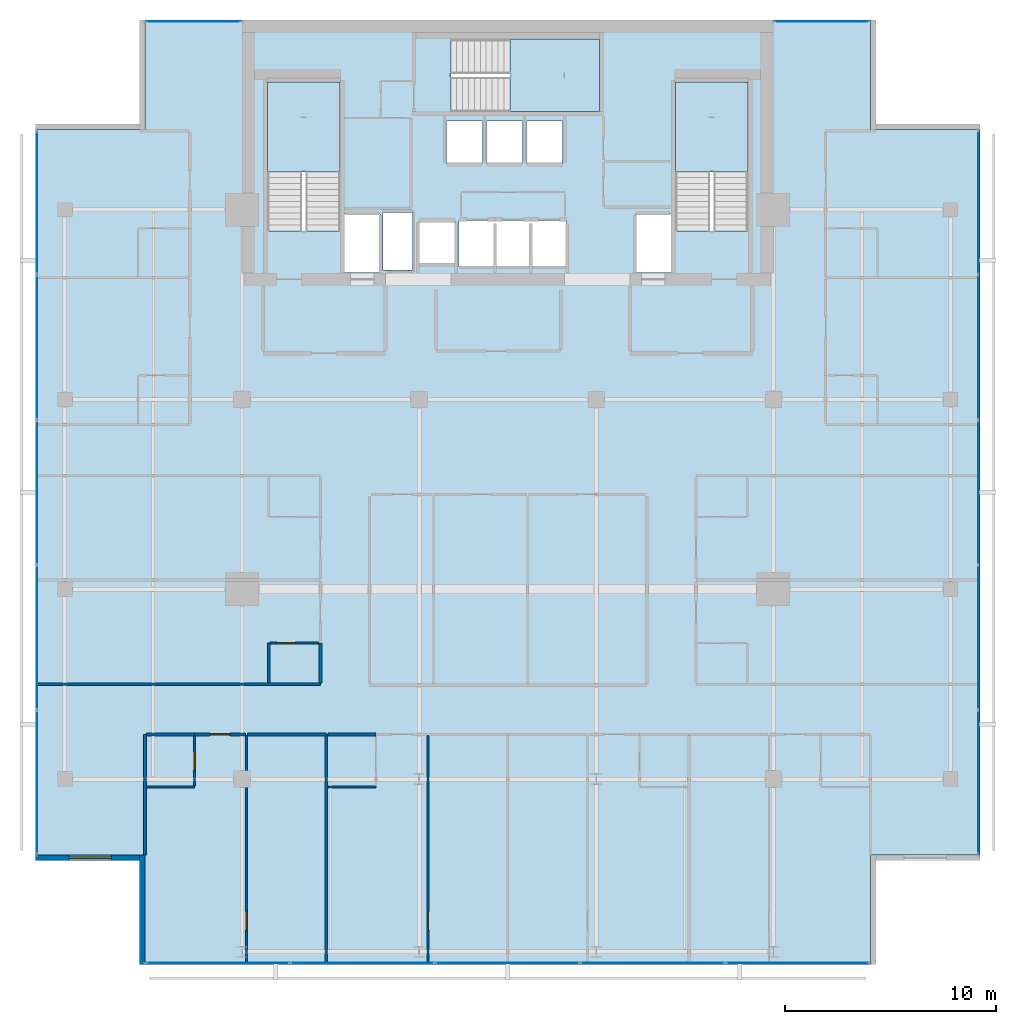
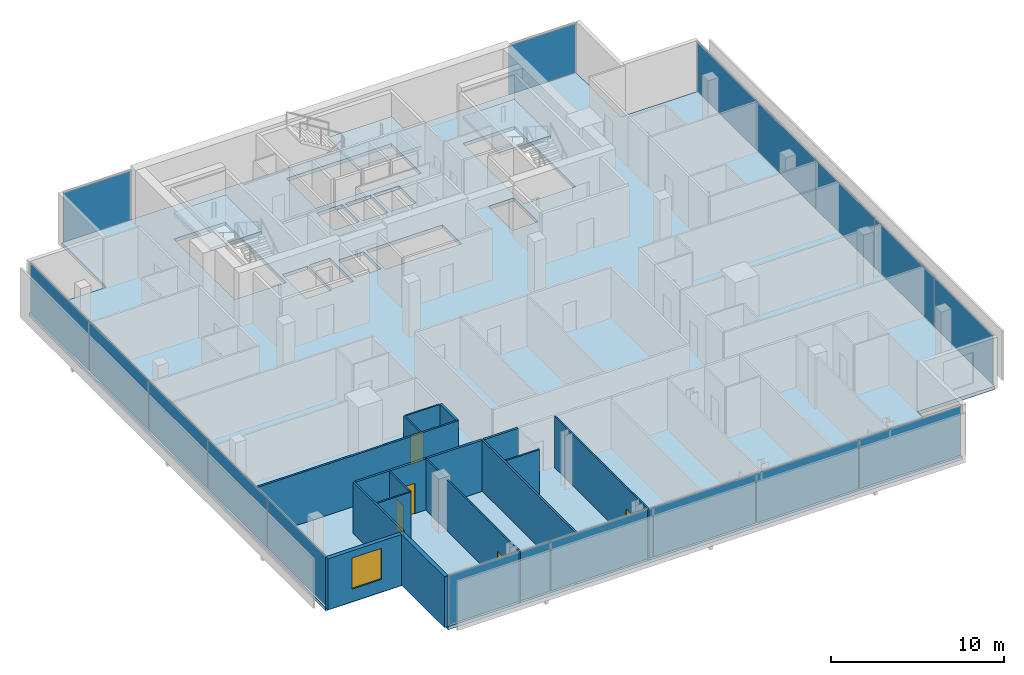
# One storey, part 19 of 26: 17 plates, 17 walls, 5 doors, 4 slabs, 1 window, 6 openings, 8 elements without a shape of their own.
"""IFC4 building model written with IfcOpenShell, lengths in metres."""

from ifc_helpers import new_model, si_unit, direction, frame, frame_2d, origin, origin_2d, place, context, subcontext, project, spatial, polyline, rectangle, outline, extrude, material, layer, layer_set, type_object, element, fill, aggregate, save


model = new_model("IFC4")

# Units and contexts
model_context = context("Model", 3, precision=1e-05, world=origin(), true_north=direction((0.0, 1.0)))
body_context = subcontext(model_context, "Body", "Model", "MODEL_VIEW")
ifc_project = project(units=[si_unit("LENGTHUNIT", "METRE"), si_unit("AREAUNIT", "SQUARE_METRE"), si_unit("VOLUMEUNIT", "CUBIC_METRE"), si_unit("PLANEANGLEUNIT", "RADIAN"), si_unit("MASSUNIT", "GRAM", prefix="KILO")], contexts=[model_context])

# Site, building, storey
site_placement = place(None, origin())
site = spatial("IfcSite", under=ifc_project, at=site_placement, CompositionType="ELEMENT")
building_placement = place(site_placement, origin())
building = spatial("IfcBuilding", under=site, at=building_placement, Name="Maruvema Waterfront Hotel and Observation Tower", CompositionType="ELEMENT")
storey_placement = place(building_placement, frame((0.0, 0.0, 258.64990234375)))
storey = spatial("IfcBuildingStorey", under=building, at=storey_placement, Name="L63", CompositionType="ELEMENT", Elevation=258.64990234375)

# Slab
ifc_material_1 = material(Name="Concrete C50/60", Category="concrete")
ifc_layer_1 = layer(ifc_material_1, 0.239990234375, Name="Reinforced Concrete Floor Slab 240 mm")
ifc_layer_set_1 = layer_set([ifc_layer_1], Name="Concrete C50/60")
slab_type_1 = type_object("IfcSlabType", Name="Reinforced Concrete Floor Slab 240 mm", PredefinedType="FLOOR", material=ifc_layer_set_1)
slab_1_placement = place(storey_placement, frame((0.0, 0.0, -0.239990234375)))
element("IfcSlab", 1, at=slab_1_placement, inside=storey, type_object=slab_type_1, Name="L63 Structural Floor Slab", PredefinedType="FLOOR", context=body_context, shape_type="SweptSolid", body=[
    extrude(outline(polyline([(20.60009765625, 9.199951171875), (55.0, 9.199951171875), (55.0, 14.39990234375), (60.199951171875, 14.39990234375), (60.199951171875, 48.800048828125), (55.0, 48.800048828125), (55.0, 54.0), (20.60009765625, 54.0), (20.60009765625, 48.800048828125), (15.39990234375, 48.800048828125), (15.39990234375, 14.39990234375), (20.60009765625, 14.39990234375), (20.60009765625, 9.199951171875)]), holes=[polyline([(26.39990234375, 44.00048828125), (26.39990234375, 51.050048828125), (29.85009765625, 51.050048828125), (29.85009765625, 44.00048828125), (26.39990234375, 44.00048828125)]), polyline([(30.050048828125, 44.800048828125), (31.75, 44.800048828125), (31.75, 42.02001953125), (30.050048828125, 42.02001953125), (30.050048828125, 44.800048828125)]), polyline([(31.8798828125, 42.139892578125), (31.8798828125, 44.860107421875), (33.280029296875, 44.860107421875), (33.280029296875, 42.139892578125), (31.8798828125, 42.139892578125)]), polyline([(33.60009765625, 44.449951171875), (35.300048828125, 44.449951171875), (35.300048828125, 42.449951171875), (33.60009765625, 42.449951171875), (33.60009765625, 44.449951171875)]), polyline([(34.89990234375, 49.199951171875), (36.60009765625, 49.199951171875), (36.60009765625, 47.199951171875), (34.89990234375, 47.199951171875), (34.89990234375, 49.199951171875)]), polyline([(36.800048828125, 47.199951171875), (36.800048828125, 49.199951171875), (38.5, 49.199951171875), (38.5, 47.199951171875), (36.800048828125, 47.199951171875)]), polyline([(35.5, 42.300048828125), (35.5, 44.5), (40.60009765625, 44.5), (40.60009765625, 42.300048828125), (35.5, 42.300048828125)]), polyline([(35.1005859375, 53.10009765625), (42.14990234375, 53.10009765625), (42.14990234375, 49.64990234375), (35.1005859375, 49.64990234375), (35.1005859375, 53.10009765625)]), polyline([(38.699951171875, 49.199951171875), (40.39990234375, 49.199951171875), (40.39990234375, 47.199951171875), (38.699951171875, 47.199951171875), (38.699951171875, 49.199951171875)]), polyline([(43.85009765625, 44.800048828125), (45.550048828125, 44.800048828125), (45.550048828125, 42.02001953125), (43.85009765625, 42.02001953125), (43.85009765625, 44.800048828125)]), polyline([(45.75, 44.00048828125), (45.75, 51.050048828125), (49.199951171875, 51.050048828125), (49.199951171875, 44.00048828125), (45.75, 44.00048828125)])]), origin(), (0.0, 0.0, 1.0), 0.239990234375),
])

# Curtain wall, plates
ifc_material_2 = material(Name="Anodised bronze aluminium and solar-control low-E IGU", Category="aluminium")
ifc_layer_2 = layer(ifc_material_2, 0.159912109375, Name="Zone 3 Champagne Inner Thermal Curtain Wall System CW-04")
ifc_layer_set_2 = layer_set([ifc_layer_2], Name="Anodised bronze aluminium and solar-control low-E IGU")
curtain_wall_type = type_object("IfcCurtainWallType", Name="Zone 3 Champagne Inner Thermal Curtain Wall System CW-04", PredefinedType="USERDEFINED", material=ifc_layer_set_2)
curtain_wall_1_placement = place(storey_placement, origin())
curtain_wall_1 = element("IfcCurtainWall", 2, at=curtain_wall_1_placement, inside=storey, type_object=curtain_wall_type, Name="L63 Curtain Wall CW-L63-S", ObjectType="UNITISED CURTAIN WALL", PredefinedType="USERDEFINED")
ifc_material_3 = material(Name="Laminated low-E solar-control double glazing", Category="glass")
ifc_layer_3 = layer(ifc_material_3, 0.035888671875, Name="Solar Control Double-Glazed Curtain Panel 36 mm")
ifc_layer_set_3 = layer_set([ifc_layer_3], Name="Laminated low-E solar-control double glazing")
plate_type = type_object("IfcPlateType", Name="Solar Control Double-Glazed Curtain Panel 36 mm", PredefinedType="CURTAIN_PANEL", material=ifc_layer_set_3)
plate_1_placement = place(storey_placement, frame((24.054931640625, 9.280029296875, 0.06005859375), z_axis=(0.0, 0.0, 1.0), x_axis=(1.0, 0.0, 0.0)))
plate_1 = element("IfcPlate", 3, at=plate_1_placement, type_object=plate_type, Name="CW-04 panel 1.1", PredefinedType="CURTAIN_PANEL", context=body_context, shape_type="SweptSolid", body=[
    extrude(rectangle(XDim=6.7900390625, YDim=0.028076171875, at=origin_2d()), origin(), (0.0, 0.0, 1.0), 3.489990234375),
])
plate_2_placement = place(storey_placement, frame((30.919921875, 9.280029296875, 0.06005859375), z_axis=(0.0, 0.0, 1.0), x_axis=(1.0, 0.0, 0.0)))
plate_2 = element("IfcPlate", 4, at=plate_2_placement, type_object=plate_type, Name="CW-04 panel 2.1", PredefinedType="CURTAIN_PANEL", context=body_context, shape_type="SweptSolid", body=[
    extrude(rectangle(XDim=6.820068359375, YDim=0.028076171875, at=origin_2d()), origin(), (0.0, 0.0, 1.0), 3.489990234375),
])
plate_3_placement = place(storey_placement, frame((37.800048828125, 9.280029296875, 0.06005859375), z_axis=(0.0, 0.0, 1.0), x_axis=(1.0, 0.0, 0.0)))
plate_3 = element("IfcPlate", 5, at=plate_3_placement, type_object=plate_type, Name="CW-04 panel 3.1", PredefinedType="CURTAIN_PANEL", context=body_context, shape_type="SweptSolid", body=[
    extrude(rectangle(XDim=6.820068359375, YDim=0.028076171875, at=origin_2d()), origin(), (0.0, 0.0, 1.0), 3.489990234375),
])
plate_4_placement = place(storey_placement, frame((44.679931640625, 9.280029296875, 0.06005859375), z_axis=(0.0, 0.0, 1.0), x_axis=(1.0, 0.0, 0.0)))
plate_4 = element("IfcPlate", 6, at=plate_4_placement, type_object=plate_type, Name="CW-04 panel 4.1", PredefinedType="CURTAIN_PANEL", context=body_context, shape_type="SweptSolid", body=[
    extrude(rectangle(XDim=6.820068359375, YDim=0.028076171875, at=origin_2d()), origin(), (0.0, 0.0, 1.0), 3.489990234375),
])
plate_5_placement = place(storey_placement, frame((51.544921875, 9.280029296875, 0.06005859375), z_axis=(0.0, 0.0, 1.0), x_axis=(1.0, 0.0, 0.0)))
plate_5 = element("IfcPlate", 7, at=plate_5_placement, type_object=plate_type, Name="CW-04 panel 5.1", PredefinedType="CURTAIN_PANEL", context=body_context, shape_type="SweptSolid", body=[
    extrude(rectangle(XDim=6.7900390625, YDim=0.028076171875, at=origin_2d()), origin(), (0.0, 0.0, 1.0), 3.489990234375),
])
aggregate(curtain_wall_1, [plate_1, plate_2, plate_3, plate_4, plate_5])

curtain_wall_2_placement = place(storey_placement, origin())
curtain_wall_2 = element("IfcCurtainWall", 8, at=curtain_wall_2_placement, inside=storey, type_object=curtain_wall_type, Name="L63 Curtain Wall CW-L63-E", ObjectType="UNITISED CURTAIN WALL", PredefinedType="USERDEFINED")
plate_6_placement = place(storey_placement, frame((60.1201171875, 17.85498046875, 0.06005859375), z_axis=(0.0, 0.0, 1.0), x_axis=(0.0, 1.0, 0.0)))
plate_6 = element("IfcPlate", 9, at=plate_6_placement, type_object=plate_type, Name="CW-04 panel 1.1", PredefinedType="CURTAIN_PANEL", context=body_context, shape_type="SweptSolid", body=[
    extrude(rectangle(XDim=6.7900390625, YDim=0.028076171875, at=origin_2d()), origin(), (0.0, 0.0, 1.0), 3.489990234375),
])
plate_7_placement = place(storey_placement, frame((60.1201171875, 24.719970703125, 0.06005859375), z_axis=(0.0, 0.0, 1.0), x_axis=(0.0, 1.0, 0.0)))
plate_7 = element("IfcPlate", 10, at=plate_7_placement, type_object=plate_type, Name="CW-04 panel 2.1", PredefinedType="CURTAIN_PANEL", context=body_context, shape_type="SweptSolid", body=[
    extrude(rectangle(XDim=6.820068359375, YDim=0.028076171875, at=origin_2d()), origin(), (0.0, 0.0, 1.0), 3.489990234375),
])
plate_8_placement = place(storey_placement, frame((60.1201171875, 31.60009765625, 0.06005859375), z_axis=(0.0, 0.0, 1.0), x_axis=(0.0, 1.0, 0.0)))
plate_8 = element("IfcPlate", 11, at=plate_8_placement, type_object=plate_type, Name="CW-04 panel 3.1", PredefinedType="CURTAIN_PANEL", context=body_context, shape_type="SweptSolid", body=[
    extrude(rectangle(XDim=6.820068359375, YDim=0.028076171875, at=origin_2d()), origin(), (0.0, 0.0, 1.0), 3.489990234375),
])
plate_9_placement = place(storey_placement, frame((60.1201171875, 38.47998046875, 0.06005859375), z_axis=(0.0, 0.0, 1.0), x_axis=(0.0, 1.0, 0.0)))
plate_9 = element("IfcPlate", 12, at=plate_9_placement, type_object=plate_type, Name="CW-04 panel 4.1", PredefinedType="CURTAIN_PANEL", context=body_context, shape_type="SweptSolid", body=[
    extrude(rectangle(XDim=6.820068359375, YDim=0.028076171875, at=origin_2d()), origin(), (0.0, 0.0, 1.0), 3.489990234375),
])
plate_10_placement = place(storey_placement, frame((60.1201171875, 45.344970703125, 0.06005859375), z_axis=(0.0, 0.0, 1.0), x_axis=(0.0, 1.0, 0.0)))
plate_10 = element("IfcPlate", 13, at=plate_10_placement, type_object=plate_type, Name="CW-04 panel 5.1", PredefinedType="CURTAIN_PANEL", context=body_context, shape_type="SweptSolid", body=[
    extrude(rectangle(XDim=6.7900390625, YDim=0.028076171875, at=origin_2d()), origin(), (0.0, 0.0, 1.0), 3.489990234375),
])
aggregate(curtain_wall_2, [plate_6, plate_7, plate_8, plate_9, plate_10])

curtain_wall_3_placement = place(storey_placement, origin())
curtain_wall_3 = element("IfcCurtainWall", 14, at=curtain_wall_3_placement, inside=storey, type_object=curtain_wall_type, Name="L63 Curtain Wall CW-L63-W", ObjectType="UNITISED CURTAIN WALL", PredefinedType="USERDEFINED")
plate_11_placement = place(storey_placement, frame((15.47998046875, 45.344970703125, 0.06005859375), z_axis=(0.0, 0.0, 1.0), x_axis=(0.0, -1.0, 0.0)))
plate_11 = element("IfcPlate", 15, at=plate_11_placement, type_object=plate_type, Name="CW-04 panel 1.1", PredefinedType="CURTAIN_PANEL", context=body_context, shape_type="SweptSolid", body=[
    extrude(rectangle(XDim=6.7900390625, YDim=0.028076171875, at=origin_2d()), origin(), (0.0, 0.0, 1.0), 3.489990234375),
])
plate_12_placement = place(storey_placement, frame((15.47998046875, 38.47998046875, 0.06005859375), z_axis=(0.0, 0.0, 1.0), x_axis=(0.0, -1.0, 0.0)))
plate_12 = element("IfcPlate", 16, at=plate_12_placement, type_object=plate_type, Name="CW-04 panel 2.1", PredefinedType="CURTAIN_PANEL", context=body_context, shape_type="SweptSolid", body=[
    extrude(rectangle(XDim=6.820068359375, YDim=0.028076171875, at=origin_2d()), origin(), (0.0, 0.0, 1.0), 3.489990234375),
])
plate_13_placement = place(storey_placement, frame((15.47998046875, 31.60009765625, 0.06005859375), z_axis=(0.0, 0.0, 1.0), x_axis=(0.0, -1.0, 0.0)))
plate_13 = element("IfcPlate", 17, at=plate_13_placement, type_object=plate_type, Name="CW-04 panel 3.1", PredefinedType="CURTAIN_PANEL", context=body_context, shape_type="SweptSolid", body=[
    extrude(rectangle(XDim=6.820068359375, YDim=0.028076171875, at=origin_2d()), origin(), (0.0, 0.0, 1.0), 3.489990234375),
])
plate_14_placement = place(storey_placement, frame((15.47998046875, 24.719970703125, 0.06005859375), z_axis=(0.0, 0.0, 1.0), x_axis=(0.0, -1.0, 0.0)))
plate_14 = element("IfcPlate", 18, at=plate_14_placement, type_object=plate_type, Name="CW-04 panel 4.1", PredefinedType="CURTAIN_PANEL", context=body_context, shape_type="SweptSolid", body=[
    extrude(rectangle(XDim=6.820068359375, YDim=0.028076171875, at=origin_2d()), origin(), (0.0, 0.0, 1.0), 3.489990234375),
])
plate_15_placement = place(storey_placement, frame((15.47998046875, 17.85498046875, 0.06005859375), z_axis=(0.0, 0.0, 1.0), x_axis=(0.0, -1.0, 0.0)))
plate_15 = element("IfcPlate", 19, at=plate_15_placement, type_object=plate_type, Name="CW-04 panel 5.1", PredefinedType="CURTAIN_PANEL", context=body_context, shape_type="SweptSolid", body=[
    extrude(rectangle(XDim=6.7900390625, YDim=0.028076171875, at=origin_2d()), origin(), (0.0, 0.0, 1.0), 3.489990234375),
])
aggregate(curtain_wall_3, [plate_11, plate_12, plate_13, plate_14, plate_15])

# Curtain wall, plate
curtain_wall_4_placement = place(storey_placement, origin())
curtain_wall_4 = element("IfcCurtainWall", 20, at=curtain_wall_4_placement, inside=storey, type_object=curtain_wall_type, Name="L63 Curtain Wall CW-L63-NW", ObjectType="UNITISED CURTAIN WALL", PredefinedType="USERDEFINED")
plate_16_placement = place(storey_placement, frame((22.89990234375, 53.919921875, 0.06005859375), z_axis=(0.0, 0.0, 1.0), x_axis=(-1.0, 0.0, 0.0)))
plate_16 = element("IfcPlate", 21, at=plate_16_placement, type_object=plate_type, Name="CW-04 panel 1.1", PredefinedType="CURTAIN_PANEL", context=body_context, shape_type="SweptSolid", body=[
    extrude(rectangle(XDim=4.47998046875, YDim=0.028076171875, at=origin_2d()), origin(), (0.0, 0.0, 1.0), 3.489990234375),
])
aggregate(curtain_wall_4, [plate_16])

curtain_wall_5_placement = place(storey_placement, origin())
curtain_wall_5 = element("IfcCurtainWall", 22, at=curtain_wall_5_placement, inside=storey, type_object=curtain_wall_type, Name="L63 Curtain Wall CW-L63-NE", ObjectType="UNITISED CURTAIN WALL", PredefinedType="USERDEFINED")
plate_17_placement = place(storey_placement, frame((52.699951171875, 53.919921875, 0.06005859375), z_axis=(0.0, 0.0, 1.0), x_axis=(-1.0, 0.0, 0.0)))
plate_17 = element("IfcPlate", 23, at=plate_17_placement, type_object=plate_type, Name="CW-04 panel 1.1", PredefinedType="CURTAIN_PANEL", context=body_context, shape_type="SweptSolid", body=[
    extrude(rectangle(XDim=4.47998046875, YDim=0.028076171875, at=origin_2d()), origin(), (0.0, 0.0, 1.0), 3.489990234375),
])
aggregate(curtain_wall_5, [plate_17])

# Stair, slab
ifc_material_4 = material(Name="Concrete C50/60", Category="concrete")
stair_type = type_object("IfcStairType", Name="Dogleg Exit Stair 1650 mm (22R x 175.0 mm)", PredefinedType="HALF_TURN_STAIR", material=ifc_material_4)
stair_1_placement = place(storey_placement, origin())
stair_1 = element("IfcStair", 24, at=stair_1_placement, inside=storey, type_object=stair_type, Name="L63 ST-01", PredefinedType="HALF_TURN_STAIR")
ifc_material_5 = material(Name="Concrete C50/60", Category="concrete")
ifc_layer_4 = layer(ifc_material_5, 0.219970703125, Name="Stair Concrete Landing Slab 220 mm")
ifc_layer_set_4 = layer_set([ifc_layer_4], Name="Concrete C50/60")
slab_type_2 = type_object("IfcSlabType", Name="Stair Concrete Landing Slab 220 mm", PredefinedType="LANDING", material=ifc_layer_set_4)
slab_2_placement = place(storey_placement, frame((0.0, 0.0, 1.705078125)))
slab_2 = element("IfcSlab", 25, at=slab_2_placement, type_object=slab_type_2, Name="ST-01 landing 1", PredefinedType="LANDING", context=body_context, shape_type="SweptSolid", body=[
    extrude(outline(polyline([(29.85009765625, 46.800048828125), (29.85009765625, 51.050048828125), (26.39990234375, 51.050048828125), (26.39990234375, 46.800048828125), (29.85009765625, 46.800048828125)])), origin(), (0.0, 0.0, 1.0), 0.219970703125),
])
aggregate(stair_1, [slab_2])

stair_2_placement = place(storey_placement, origin())
stair_2 = element("IfcStair", 26, at=stair_2_placement, inside=storey, type_object=stair_type, Name="L63 ST-02", PredefinedType="HALF_TURN_STAIR")
slab_3_placement = place(storey_placement, frame((0.0, 0.0, 1.705078125)))
slab_3 = element("IfcSlab", 27, at=slab_3_placement, type_object=slab_type_2, Name="ST-02 landing 1", PredefinedType="LANDING", context=body_context, shape_type="SweptSolid", body=[
    extrude(outline(polyline([(37.89990234375, 49.64990234375), (42.14990234375, 49.64990234375), (42.14990234375, 53.10009765625), (37.89990234375, 53.10009765625), (37.89990234375, 49.64990234375)])), origin(), (0.0, 0.0, 1.0), 0.219970703125),
])
aggregate(stair_2, [slab_3])

stair_3_placement = place(storey_placement, origin())
stair_3 = element("IfcStair", 28, at=stair_3_placement, inside=storey, type_object=stair_type, Name="L63 ST-03", PredefinedType="HALF_TURN_STAIR")
slab_4_placement = place(storey_placement, frame((0.0, 0.0, 1.705078125)))
slab_4 = element("IfcSlab", 29, at=slab_4_placement, type_object=slab_type_2, Name="ST-03 landing 1", PredefinedType="LANDING", context=body_context, shape_type="SweptSolid", body=[
    extrude(outline(polyline([(49.199951171875, 46.800048828125), (49.199951171875, 51.050048828125), (45.75, 51.050048828125), (45.75, 46.800048828125), (49.199951171875, 46.800048828125)])), origin(), (0.0, 0.0, 1.0), 0.219970703125),
])
aggregate(stair_3, [slab_4])

# Wall
ifc_material_6 = material(Name="Twin-stud acoustic gypsum drywall", Category="gypsum")
ifc_layer_5 = layer(ifc_material_6, 0.14990234375, Name="Acoustic Corridor and Suite Demising Wall 150 mm")
ifc_layer_set_5 = layer_set([ifc_layer_5], Name="Twin-stud acoustic gypsum drywall")
wall_type_1 = type_object("IfcWallType", Name="Acoustic Corridor and Suite Demising Wall 150 mm", PredefinedType="PARTITIONING", material=ifc_layer_set_5)
wall_1_placement = place(storey_placement, frame((20.679931640625, 20.1201171875, 0.0), z_axis=(0.0, 0.0, 1.0), x_axis=(1.0, 0.0, 0.0)))
element("IfcWall", 30, at=wall_1_placement, inside=storey, type_object=wall_type_1, Name="L63 Bath L63-S1 Back Wall 035", PredefinedType="PARTITIONING", context=body_context, shape_type="SweptSolid", body=[
    extrude(rectangle(XDim=2.27001953125, YDim=0.14990234375, at=frame_2d((1.135009765625, 0.0))), origin(), (0.0, 0.0, 1.0), 3.610107421875),
])

# Wall, opening, door
wall_2_placement = place(storey_placement, frame((22.949951171875, 20.1201171875, 0.0), z_axis=(0.0, 0.0, 1.0), x_axis=(1.0, 0.0, 0.0)))
wall_2 = element("IfcWall", 31, at=wall_2_placement, inside=storey, type_object=wall_type_1, Name="L63 Unit L63-S1 Corridor Wall 038", PredefinedType="PARTITIONING", context=body_context, shape_type="SweptSolid", body=[
    extrude(rectangle(XDim=2.426025390625, YDim=0.14990234375, at=frame_2d((1.212890625, 0.0))), origin(), (0.0, 0.0, 1.0), 3.610107421875),
])
opening_1_placement = place(wall_2_placement, frame((0.738037109375, 0.0, 0.0)))
opening_1 = element("IfcOpeningElement", 32, at=opening_1_placement, cuts=wall_2, Name="Opening DR-095", PredefinedType="OPENING", context=body_context, shape_type="SweptSolid", body=[
    extrude(rectangle(XDim=0.949951171875, YDim=2.14990234375, at=frame_2d((0.47509765625, 1.074951171875))), frame((0.0, 0.0849609375, 0.0), z_axis=(0.0, -1.0, 0.0), x_axis=(1.0, 0.0, 0.0)), (0.0, 0.0, 1.0), 0.169921875),
])
ifc_material_7 = material(Name="Acoustic solid-core hardwood timber leaf", Category="wood")
door_type_1 = type_object("IfcDoorType", Name="Guestroom Entrance Fire Door 950x2150 mm", OperationType="NOTDEFINED", PredefinedType="DOOR", material=ifc_material_7)
door_1_placement = place(opening_1_placement, frame((0.949951171875, 0.0, 0.0), z_axis=(0.0, 0.0, 1.0), x_axis=(-1.0, 0.0, 0.0)))
door_1 = element("IfcDoor", 33, at=door_1_placement, inside=storey, type_object=door_type_1, Name="L63 Unit L63-S1 Entrance Door", OperationType="SINGLE_SWING_RIGHT", OverallHeight=2.14990234375, OverallWidth=0.949951171875, PredefinedType="DOOR", context=body_context, shape_type="SweptSolid", body=[
    extrude(rectangle(XDim=0.949951171875, YDim=2.14990234375, at=frame_2d((0.47509765625, 1.074951171875))), frame((0.0, 0.02490234375, 0.0), z_axis=(0.0, -1.0, 0.0), x_axis=(1.0, 0.0, 0.0)), (0.0, 0.0, 1.0), 0.050048828125),
])
fill(opening_1, door_1)

# Walls
wall_3_placement = place(storey_placement, frame((25.4560546875, 20.1201171875, 0.0), z_axis=(0.0, 0.0, 1.0), x_axis=(1.0, 0.0, 0.0)))
element("IfcWall", 34, at=wall_3_placement, inside=storey, type_object=wall_type_1, Name="L63 Bedroom L63-S1 Back Wall 039", PredefinedType="PARTITIONING", context=body_context, shape_type="SweptSolid", body=[
    extrude(rectangle(XDim=3.723876953125, YDim=0.14990234375, at=frame_2d((1.86181640625, 0.0))), origin(), (0.0, 0.0, 1.0), 3.610107421875),
])
wall_4_placement = place(storey_placement, frame((29.280029296875, 20.1201171875, 0.0), z_axis=(0.0, 0.0, 1.0), x_axis=(1.0, 0.0, 0.0)))
element("IfcWall", 35, at=wall_4_placement, inside=storey, type_object=wall_type_1, Name="L63 Bath L63-S2 Back Wall 042", PredefinedType="PARTITIONING", context=body_context, shape_type="SweptSolid", body=[
    extrude(rectangle(XDim=2.27001953125, YDim=0.14990234375, at=frame_2d((1.135009765625, 0.0))), origin(), (0.0, 0.0, 1.0), 3.610107421875),
])
wall_5_placement = place(storey_placement, frame((28.919921875, 22.56005859375, 0.0), z_axis=(0.0, 0.0, 1.0), x_axis=(0.0, 1.0, 0.0)))
element("IfcWall", 36, at=wall_5_placement, inside=storey, type_object=wall_type_1, Name="L63 Bath L63-W1 Wall 066", PredefinedType="PARTITIONING", context=body_context, shape_type="SweptSolid", body=[
    extrude(rectangle(XDim=1.889892578125, YDim=0.14990234375, at=frame_2d((0.94482421875, 0.0))), origin(), (0.0, 0.0, 1.0), 3.610107421875),
])
ifc_material_8 = material(Name="Moisture-resistant cement-board drywall", Category="gypsum")
ifc_layer_6 = layer(ifc_material_8, 0.10009765625, Name="En-Suite Moisture-Resistant Partition 100 mm")
ifc_layer_set_6 = layer_set([ifc_layer_6], Name="Moisture-resistant cement-board drywall")
wall_type_2 = type_object("IfcWallType", Name="En-Suite Moisture-Resistant Partition 100 mm", PredefinedType="PARTITIONING", material=ifc_layer_set_6)
wall_6_placement = place(storey_placement, frame((20.679931640625, 17.6201171875, 0.0), z_axis=(0.0, 0.0, 1.0), x_axis=(1.0, 0.0, 0.0)))
element("IfcWall", 37, at=wall_6_placement, inside=storey, type_object=wall_type_2, Name="L63 En-Suite L63-S1 South 036", PredefinedType="PARTITIONING", context=body_context, shape_type="SweptSolid", body=[
    extrude(rectangle(XDim=2.27001953125, YDim=0.10009765625, at=frame_2d((1.135009765625, 0.0))), origin(), (0.0, 0.0, 1.0), 3.610107421875),
])

# Wall, opening, door
wall_7_placement = place(storey_placement, frame((22.949951171875, 17.679931640625, 0.0), z_axis=(0.0, 0.0, 1.0), x_axis=(0.0, 1.0, 0.0)))
wall_7 = element("IfcWall", 38, at=wall_7_placement, inside=storey, type_object=wall_type_2, Name="L63 En-Suite L63-S1 East 037", PredefinedType="PARTITIONING", context=body_context, shape_type="SweptSolid", body=[
    extrude(rectangle(XDim=2.340087890625, YDim=0.10009765625, at=frame_2d((1.169921875, 0.0))), origin(), (0.0, 0.0, 1.0), 3.610107421875),
])
opening_2_placement = place(wall_7_placement, frame((0.7451171875, 0.0, 0.0)))
opening_2 = element("IfcOpeningElement", 39, at=opening_2_placement, cuts=wall_7, Name="Opening DR-085", PredefinedType="OPENING", context=body_context, shape_type="SweptSolid", body=[
    extrude(rectangle(XDim=0.85009765625, YDim=2.10009765625, at=frame_2d((0.425048828125, 1.050048828125))), frame((0.0, 0.06005859375, 0.0), z_axis=(0.0, -1.0, 0.0), x_axis=(1.0, 0.0, 0.0)), (0.0, 0.0, 1.0), 0.1201171875),
])
ifc_material_9 = material(Name="Moisture-resistant solid timber leaf", Category="wood")
door_type_2 = type_object("IfcDoorType", Name="En-Suite Bathroom Door 850x2100 mm", OperationType="NOTDEFINED", PredefinedType="DOOR", material=ifc_material_9)
door_2_placement = place(opening_2_placement, frame((0.85009765625, 0.0, 0.0), z_axis=(0.0, 0.0, 1.0), x_axis=(-1.0, 0.0, 0.0)))
door_2 = element("IfcDoor", 40, at=door_2_placement, inside=storey, type_object=door_type_2, Name="L63 En-Suite L63-S1 Door", OperationType="SINGLE_SWING_LEFT", OverallHeight=2.10009765625, OverallWidth=0.85009765625, PredefinedType="DOOR", context=body_context, shape_type="SweptSolid", body=[
    extrude(rectangle(XDim=0.85009765625, YDim=2.10009765625, at=frame_2d((0.425048828125, 1.050048828125))), frame((0.0, 0.02490234375, 0.0), z_axis=(0.0, -1.0, 0.0), x_axis=(1.0, 0.0, 0.0)), (0.0, 0.0, 1.0), 0.050048828125),
])
fill(opening_2, door_2)

wall_8_placement = place(storey_placement, frame((25.416015625, 9.22998046875, 0.0), z_axis=(0.0, 0.0, 1.0), x_axis=(0.0, 1.0, 0.0)))
wall_8 = element("IfcWall", 41, at=wall_8_placement, inside=storey, type_object=wall_type_2, Name="L63 Suite L63-S1 Split 040", PredefinedType="PARTITIONING", context=body_context, shape_type="SweptSolid", body=[
    extrude(rectangle(XDim=10.830078125, YDim=0.10009765625, at=frame_2d((5.4150390625, 0.0))), origin(), (0.0, 0.0, 1.0), 3.610107421875),
])
opening_3_placement = place(wall_8_placement, frame((1.60009765625, 0.0, 0.0)))
opening_3 = element("IfcOpeningElement", 42, at=opening_3_placement, cuts=wall_8, Name="Opening DR-090", PredefinedType="OPENING", context=body_context, shape_type="SweptSolid", body=[
    extrude(rectangle(XDim=0.89990234375, YDim=2.10009765625, at=frame_2d((0.449951171875, 1.050048828125))), frame((0.0, 0.06005859375, 0.0), z_axis=(0.0, -1.0, 0.0), x_axis=(1.0, 0.0, 0.0)), (0.0, 0.0, 1.0), 0.1201171875),
])
ifc_material_10 = material(Name="Solid-core lacquered timber leaf", Category="wood")
door_type_3 = type_object("IfcDoorType", Name="Accessible Toilet and Room Door 900x2100 mm", OperationType="NOTDEFINED", PredefinedType="DOOR", material=ifc_material_10)
door_3_placement = place(opening_3_placement, origin())
door_3 = element("IfcDoor", 43, at=door_3_placement, inside=storey, type_object=door_type_3, Name="L63 Suite L63-S1 Bedroom Door", OperationType="SINGLE_SWING_LEFT", OverallHeight=2.10009765625, OverallWidth=0.89990234375, PredefinedType="DOOR", context=body_context, shape_type="SweptSolid", body=[
    extrude(rectangle(XDim=0.89990234375, YDim=2.10009765625, at=frame_2d((0.449951171875, 1.050048828125))), frame((0.0, 0.02490234375, 0.0), z_axis=(0.0, -1.0, 0.0), x_axis=(1.0, 0.0, 0.0)), (0.0, 0.0, 1.0), 0.050048828125),
])
fill(opening_3, door_3)

# Wall
wall_9_placement = place(storey_placement, frame((29.280029296875, 17.6201171875, 0.0), z_axis=(0.0, 0.0, 1.0), x_axis=(1.0, 0.0, 0.0)))
element("IfcWall", 44, at=wall_9_placement, inside=storey, type_object=wall_type_2, Name="L63 En-Suite L63-S2 South 043", PredefinedType="PARTITIONING", context=body_context, shape_type="SweptSolid", body=[
    extrude(rectangle(XDim=2.27001953125, YDim=0.10009765625, at=frame_2d((1.135009765625, 0.0))), origin(), (0.0, 0.0, 1.0), 3.610107421875),
])

# Wall, opening, door
wall_10_placement = place(storey_placement, frame((34.01611328125, 9.22998046875, 0.0), z_axis=(0.0, 0.0, 1.0), x_axis=(0.0, 1.0, 0.0)))
wall_10 = element("IfcWall", 45, at=wall_10_placement, inside=storey, type_object=wall_type_2, Name="L63 Suite L63-S2 Split 047", PredefinedType="PARTITIONING", context=body_context, shape_type="SweptSolid", body=[
    extrude(rectangle(XDim=10.830078125, YDim=0.10009765625, at=frame_2d((5.4150390625, 0.0))), origin(), (0.0, 0.0, 1.0), 3.610107421875),
])
opening_4_placement = place(wall_10_placement, frame((1.60009765625, 0.0, 0.0)))
opening_4 = element("IfcOpeningElement", 46, at=opening_4_placement, cuts=wall_10, Name="Opening DR-090", PredefinedType="OPENING", context=body_context, shape_type="SweptSolid", body=[
    extrude(rectangle(XDim=0.89990234375, YDim=2.10009765625, at=frame_2d((0.449951171875, 1.050048828125))), frame((0.0, 0.06005859375, 0.0), z_axis=(0.0, -1.0, 0.0), x_axis=(1.0, 0.0, 0.0)), (0.0, 0.0, 1.0), 0.1201171875),
])
door_4_placement = place(opening_4_placement, origin())
door_4 = element("IfcDoor", 47, at=door_4_placement, inside=storey, type_object=door_type_3, Name="L63 Suite L63-S2 Bedroom Door", OperationType="SINGLE_SWING_RIGHT", OverallHeight=2.10009765625, OverallWidth=0.89990234375, PredefinedType="DOOR", context=body_context, shape_type="SweptSolid", body=[
    extrude(rectangle(XDim=0.89990234375, YDim=2.10009765625, at=frame_2d((0.449951171875, 1.050048828125))), frame((0.0, 0.02490234375, 0.0), z_axis=(0.0, -1.0, 0.0), x_axis=(1.0, 0.0, 0.0)), (0.0, 0.0, 1.0), 0.050048828125),
])
fill(opening_4, door_4)

# Wall
wall_11_placement = place(storey_placement, frame((26.469970703125, 22.56005859375, 0.0), z_axis=(0.0, 0.0, 1.0), x_axis=(0.0, 1.0, 0.0)))
element("IfcWall", 48, at=wall_11_placement, inside=storey, type_object=wall_type_2, Name="L63 En-Suite L63-W1 W 068", PredefinedType="PARTITIONING", context=body_context, shape_type="SweptSolid", body=[
    extrude(rectangle(XDim=1.889892578125, YDim=0.10009765625, at=frame_2d((0.94482421875, 0.0))), origin(), (0.0, 0.0, 1.0), 3.610107421875),
])

# Wall, opening, door
wall_12_placement = place(storey_placement, frame((26.52001953125, 24.449951171875, 0.0), z_axis=(0.0, 0.0, 1.0), x_axis=(1.0, 0.0, 0.0)))
wall_12 = element("IfcWall", 49, at=wall_12_placement, inside=storey, type_object=wall_type_2, Name="L63 En-Suite L63-W1 N 069", PredefinedType="PARTITIONING", context=body_context, shape_type="SweptSolid", body=[
    extrude(rectangle(XDim=2.300048828125, YDim=0.10009765625, at=frame_2d((1.14990234375, 0.0))), origin(), (0.0, 0.0, 1.0), 3.610107421875),
])
opening_5_placement = place(wall_12_placement, frame((0.35009765625, 0.0, 0.0)))
opening_5 = element("IfcOpeningElement", 50, at=opening_5_placement, cuts=wall_12, Name="Opening DR-085", PredefinedType="OPENING", context=body_context, shape_type="SweptSolid", body=[
    extrude(rectangle(XDim=0.85009765625, YDim=2.10009765625, at=frame_2d((0.425048828125, 1.050048828125))), frame((0.0, 0.06005859375, 0.0), z_axis=(0.0, -1.0, 0.0), x_axis=(1.0, 0.0, 0.0)), (0.0, 0.0, 1.0), 0.1201171875),
])
door_5_placement = place(opening_5_placement, origin())
door_5 = element("IfcDoor", 51, at=door_5_placement, inside=storey, type_object=door_type_2, Name="L63 En-Suite L63-W1 Door", OperationType="SINGLE_SWING_LEFT", OverallHeight=2.10009765625, OverallWidth=0.85009765625, PredefinedType="DOOR", context=body_context, shape_type="SweptSolid", body=[
    extrude(rectangle(XDim=0.85009765625, YDim=2.10009765625, at=frame_2d((0.425048828125, 1.050048828125))), frame((0.0, 0.02490234375, 0.0), z_axis=(0.0, -1.0, 0.0), x_axis=(1.0, 0.0, 0.0)), (0.0, 0.0, 1.0), 0.050048828125),
])
fill(opening_5, door_5)

# Wall
ifc_material_11 = material(Name="Precast concrete C45/55 with honed Pernambuco granite facing", Category="masonry")
ifc_layer_7 = layer(ifc_material_11, 0.260009765625, Name="Exterior Granite Clad Spandrel and Pier Wall 260 mm")
ifc_layer_set_7 = layer_set([ifc_layer_7], Name="Precast concrete C45/55 with honed Pernambuco granite facing")
wall_type_3 = type_object("IfcWallType", Name="Exterior Granite Clad Spandrel and Pier Wall 260 mm", PredefinedType="SOLIDWALL", material=ifc_layer_set_7)
wall_13_placement = place(storey_placement, frame((20.469970703125, 9.199951171875, 0.0), z_axis=(0.0, 0.0, 1.0), x_axis=(0.0, 1.0, 0.0)))
element("IfcWall", 52, at=wall_13_placement, inside=storey, type_object=wall_type_3, Name="L63 Corner Notch Granite Pier Wall SW1", PredefinedType="SOLIDWALL", context=body_context, shape_type="SweptSolid", body=[
    extrude(rectangle(XDim=5.199951171875, YDim=0.260009765625, at=frame_2d((2.60009765625, 0.0))), origin(), (0.0, 0.0, 1.0), 3.610107421875),
])

# Wall, opening, window
wall_14_placement = place(storey_placement, frame((20.60009765625, 14.27001953125, 0.0), z_axis=(0.0, 0.0, 1.0), x_axis=(-1.0, 0.0, 0.0)))
wall_14 = element("IfcWall", 53, at=wall_14_placement, inside=storey, type_object=wall_type_3, Name="L63 Corner Notch Granite Pier Wall SW2", PredefinedType="SOLIDWALL", context=body_context, shape_type="SweptSolid", body=[
    extrude(rectangle(XDim=5.2001953125, YDim=0.260009765625, at=frame_2d((2.60009765625, 0.0))), origin(), (0.0, 0.0, 1.0), 3.610107421875),
])
opening_6_placement = place(wall_14_placement, frame((1.60009765625, 0.0, 0.89990234375)))
opening_6 = element("IfcOpeningElement", 54, at=opening_6_placement, cuts=wall_14, Name="Opening WN-03", PredefinedType="OPENING", context=body_context, shape_type="SweptSolid", body=[
    extrude(rectangle(XDim=2.0, YDim=2.199951171875, at=frame_2d((1.0, 1.10009765625))), frame((0.0, 0.14013671875, 0.0), z_axis=(0.0, -1.0, 0.0), x_axis=(1.0, 0.0, 0.0)), (0.0, 0.0, 1.0), 0.280029296875),
])
ifc_material_12 = material(Name="Anodised bronze aluminium frame with laminated low-E glass", Category="aluminium")
window_type = type_object("IfcWindowType", Name="Sky Suite Panoramic Notch Window 2000x2200 mm", PartitioningType="SINGLE_PANEL", PredefinedType="WINDOW", material=ifc_material_12)
window_placement = place(opening_6_placement, origin())
window = element("IfcWindow", 55, at=window_placement, inside=storey, type_object=window_type, Name="L63 Corner Notch Punched Window SW2", OverallHeight=2.199951171875, OverallWidth=2.0, PartitioningType="SINGLE_PANEL", PredefinedType="WINDOW", context=body_context, shape_type="SweptSolid", body=[
    extrude(rectangle(XDim=2.0, YDim=2.199951171875, at=frame_2d((1.0, 1.10009765625))), frame((0.0, 0.030029296875, 0.0), z_axis=(0.0, -1.0, 0.0), x_axis=(1.0, 0.0, 0.0)), (0.0, 0.0, 1.0), 0.06005859375),
])
fill(opening_6, window)

# Walls
ifc_material_13 = material(Name="Acoustic gypsum plasterboard drywall", Category="gypsum")
ifc_layer_8 = layer(ifc_material_13, 0.125, Name="Guestroom Acoustic Demising Wall 125 mm")
ifc_layer_set_8 = layer_set([ifc_layer_8], Name="Acoustic gypsum plasterboard drywall")
wall_type_4 = type_object("IfcWallType", Name="Guestroom Acoustic Demising Wall 125 mm", PredefinedType="PARTITIONING", material=ifc_layer_set_8)
wall_15_placement = place(storey_placement, frame((20.60009765625, 14.39990234375, 0.0), z_axis=(0.0, 0.0, 1.0), x_axis=(0.0, 1.0, 0.0)))
element("IfcWall", 56, at=wall_15_placement, inside=storey, type_object=wall_type_4, Name="L63 Z3 S West End 033", PredefinedType="PARTITIONING", context=body_context, shape_type="SweptSolid", body=[
    extrude(rectangle(XDim=5.72021484375, YDim=0.125, at=frame_2d((2.860107421875, 0.0))), origin(), (0.0, 0.0, 1.0), 3.610107421875),
])
wall_16_placement = place(storey_placement, frame((29.199951171875, 9.300048828125, 0.0), z_axis=(0.0, 0.0, 1.0), x_axis=(0.0, 1.0, 0.0)))
element("IfcWall", 57, at=wall_16_placement, inside=storey, type_object=wall_type_4, Name="L63 Z3 S Demising 2 041", PredefinedType="PARTITIONING", context=body_context, shape_type="SweptSolid", body=[
    extrude(rectangle(XDim=10.820068359375, YDim=0.125, at=frame_2d((5.41015625, 0.0))), origin(), (0.0, 0.0, 1.0), 3.610107421875),
])
wall_17_placement = place(storey_placement, frame((15.5, 22.5, 0.0), z_axis=(0.0, 0.0, 1.0), x_axis=(1.0, 0.0, 0.0)))
element("IfcWall", 58, at=wall_17_placement, inside=storey, type_object=wall_type_4, Name="L63 Z3 W Bot End 062", PredefinedType="PARTITIONING", context=body_context, shape_type="SweptSolid", body=[
    extrude(rectangle(XDim=13.419921875, YDim=0.125, at=frame_2d((6.7099609375, 0.0))), origin(), (0.0, 0.0, 1.0), 3.610107421875),
])

save(model, "model.ifc")
